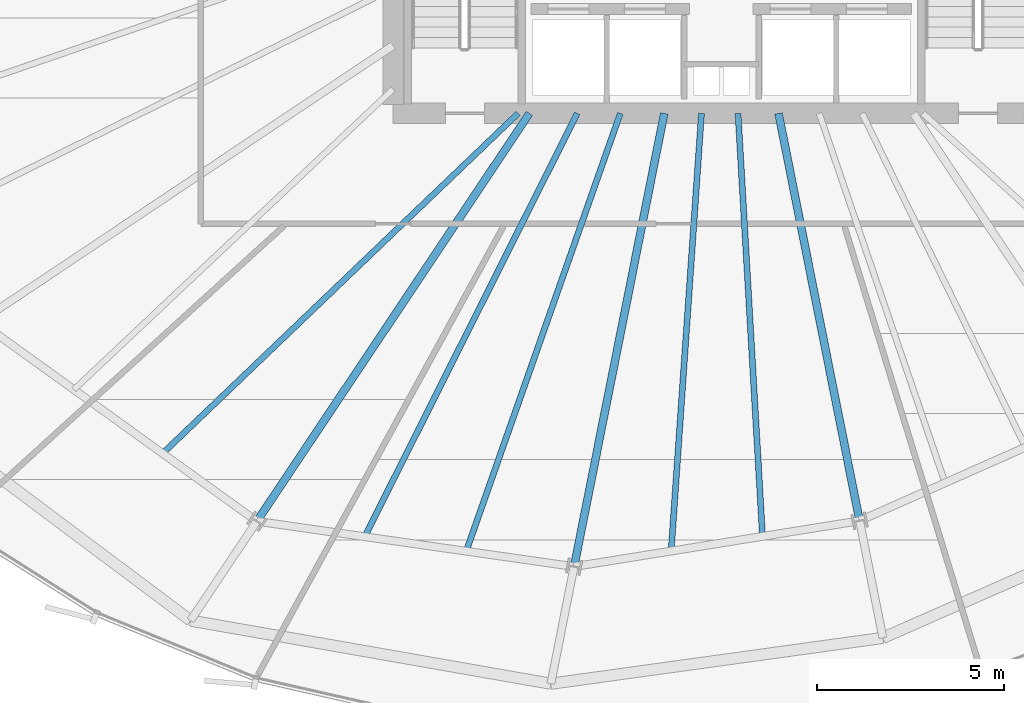
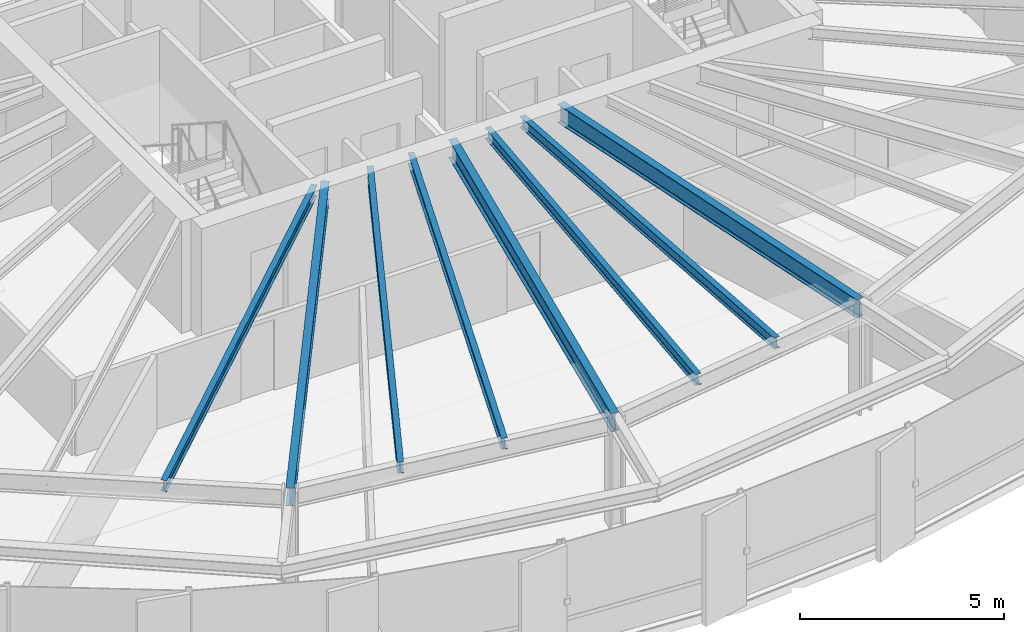
# One storey, part 7 of 35: 8 beams.
"""IFC4 building model written with IfcOpenShell, lengths in metres."""

from ifc_helpers import new_model, si_unit, direction, frame, origin, origin_2d, place, context, subcontext, project, spatial, i_section, extrude, source, transform, mapped, material, material_profile, profile_set, type_object, element, save


model = new_model("IFC4")

# Units and contexts
model_context = context("Model", 3, precision=1e-05, world=origin(), true_north=direction((0.0, 1.0)))
body_context = subcontext(model_context, "Body", "Model", "MODEL_VIEW")
ifc_project = project(units=[si_unit("LENGTHUNIT", "METRE"), si_unit("AREAUNIT", "SQUARE_METRE"), si_unit("VOLUMEUNIT", "CUBIC_METRE"), si_unit("PLANEANGLEUNIT", "RADIAN"), si_unit("MASSUNIT", "GRAM", prefix="KILO"), si_unit("THERMODYNAMICTEMPERATUREUNIT", "KELVIN")], contexts=[model_context])

# Site, building, storey
site_placement = place(None, origin())
site = spatial("IfcSite", under=ifc_project, at=site_placement, CompositionType="ELEMENT")
building_placement = place(site_placement, origin())
building = spatial("IfcBuilding", under=site, at=building_placement, Name="Kethvar Cultural Tower", CompositionType="ELEMENT")
storey_placement = place(building_placement, frame((0.0, 0.0, 103.60009765625)))
storey = spatial("IfcBuildingStorey", under=building, at=storey_placement, Name="L25", CompositionType="ELEMENT", Elevation=103.60009765625)

# Beams
ifc_material = material(Name="Steel S355J2", Category="steel")
ifc_material_profile_1 = material_profile(ifc_material, i_section(OverallWidth=0.2099609375, OverallDepth=0.550048828125, WebThickness=0.010986328125, FlangeThickness=0.01708984375, FilletRadius=0.02392578125, at=origin_2d()), Name="Steel S355J2 — IPE550")
ifc_profile_set_1 = profile_set([ifc_material_profile_1], Name="Steel S355J2 — IPE550")
beam_type_1 = type_object("IfcBeamType", Name="BM-IPE550", PredefinedType="BEAM", material=ifc_profile_set_1)
shared_shape_1 = source(origin(), body_context, "Body", "SweptSolid", [
    extrude(i_section(OverallWidth=0.2099609375, OverallDepth=0.550048828125, WebThickness=0.010986328125, FlangeThickness=0.01708984375, FilletRadius=0.02392578125, at=origin_2d()), origin(), (0.0, 0.0, 1.0), 13.147216796875),
])
beam_1_placement = place(storey_placement, frame((41.655029296875, 20.10009765625, 3.072998046875), z_axis=(-0.555565525446, -0.831472757783, 0.0), x_axis=(0.831472757783, -0.555565525446, 0.0)))
element("IfcBeam", 1, at=beam_1_placement, inside=storey, type_object=beam_type_1, Name="L25 Primary Radial Beam RB-11", PredefinedType="BEAM", context=body_context, shape_type="MappedRepresentation", body=[
    mapped(shared_shape_1, transform((0.0, 0.0, 0.0), scale=1.0)),
])
shared_shape_2 = source(origin(), body_context, "Body", "SweptSolid", [
    extrude(i_section(OverallWidth=0.2099609375, OverallDepth=0.550048828125, WebThickness=0.010986328125, FlangeThickness=0.01708984375, FilletRadius=0.02392578125, at=origin_2d()), origin(), (0.0, 0.0, 1.0), 12.384521484375),
])
beam_2_placement = place(storey_placement, frame((45.268310546875, 20.10009765625, 3.072998046875), z_axis=(-0.195084858678, -0.980786367113, 0.0), x_axis=(0.980786367113, -0.195084858678, 0.0)))
element("IfcBeam", 2, at=beam_2_placement, inside=storey, type_object=beam_type_1, Name="L25 Primary Radial Beam RB-12", PredefinedType="BEAM", context=body_context, shape_type="MappedRepresentation", body=[
    mapped(shared_shape_2, transform((0.0, 0.0, 0.0), scale=1.0)),
])
shared_shape_3 = source(origin(), body_context, "Body", "SweptSolid", [
    extrude(i_section(OverallWidth=0.2099609375, OverallDepth=0.550048828125, WebThickness=0.010986328125, FlangeThickness=0.01708984375, FilletRadius=0.02392578125, at=origin_2d()), origin(), (0.0, 0.0, 1.0), 11.131591796875),
])
beam_3_placement = place(storey_placement, frame((48.33154296875, 20.10009765625, 3.072998046875), z_axis=(0.195107998266, -0.980781764213, 0.0), x_axis=(0.980781764213, 0.195107998266, 0.0)))
element("IfcBeam", 3, at=beam_3_placement, inside=storey, type_object=beam_type_1, Name="L25 Primary Radial Beam RB-13", PredefinedType="BEAM", context=body_context, shape_type="MappedRepresentation", body=[
    mapped(shared_shape_3, transform((0.0, 0.0, 0.0), scale=1.0)),
])
ifc_material_profile_2 = material_profile(ifc_material, i_section(OverallWidth=0.159912109375, OverallDepth=0.330078125, WebThickness=0.007568359375, FlangeThickness=0.011474609375, FilletRadius=0.01806640625, at=origin_2d()), Name="Steel S355J2 — IPE330")
ifc_profile_set_2 = profile_set([ifc_material_profile_2], Name="Steel S355J2 — IPE330")
beam_type_2 = type_object("IfcBeamType", Name="BM-J330", PredefinedType="JOIST", material=ifc_profile_set_2)
shared_shape_4 = source(origin(), body_context, "Body", "SweptSolid", [
    extrude(i_section(OverallWidth=0.159912109375, OverallDepth=0.330078125, WebThickness=0.007568359375, FlangeThickness=0.011474609375, FilletRadius=0.01806640625, at=origin_2d()), origin(), (0.0, 0.0, 1.0), 13.1826171875),
])
beam_4_placement = place(storey_placement, frame((41.35009765625, 20.10009765625, 3.182861328125), z_axis=(-0.722573880181, -0.691293705801, 0.0), x_axis=(0.691293705801, -0.722573880181, 0.0)))
element("IfcBeam", 4, at=beam_4_placement, inside=storey, type_object=beam_type_2, Name="L25 Composite Floor Joist J-10B", PredefinedType="JOIST", context=body_context, shape_type="MappedRepresentation", body=[
    mapped(shared_shape_4, transform((0.0, 0.0, 0.0), scale=1.0)),
])
shared_shape_5 = source(origin(), body_context, "Body", "SweptSolid", [
    extrude(i_section(OverallWidth=0.159912109375, OverallDepth=0.330078125, WebThickness=0.007568359375, FlangeThickness=0.011474609375, FilletRadius=0.01806640625, at=origin_2d()), origin(), (0.0, 0.0, 1.0), 12.693603515625),
])
beam_5_placement = place(storey_placement, frame((42.935302734375, 20.10009765625, 3.182861328125), z_axis=(-0.448582495233, -0.893741430712, 0.0), x_axis=(0.893741430712, -0.448582495233, 0.0)))
element("IfcBeam", 5, at=beam_5_placement, inside=storey, type_object=beam_type_2, Name="L25 Composite Floor Joist J-11A", PredefinedType="JOIST", context=body_context, shape_type="MappedRepresentation", body=[
    mapped(shared_shape_5, transform((0.0, 0.0, 0.0), scale=1.0)),
])
shared_shape_6 = source(origin(), body_context, "Body", "SweptSolid", [
    extrude(i_section(OverallWidth=0.159912109375, OverallDepth=0.330078125, WebThickness=0.007568359375, FlangeThickness=0.011474609375, FilletRadius=0.01806640625, at=origin_2d()), origin(), (0.0, 0.0, 1.0), 12.4384765625),
])
beam_6_placement = place(storey_placement, frame((44.090576171875, 20.10009765625, 3.182861328125), z_axis=(-0.331923676994, -0.943306245421, 0.0), x_axis=(0.943306245421, -0.331923676994, 0.0)))
element("IfcBeam", 6, at=beam_6_placement, inside=storey, type_object=beam_type_2, Name="L25 Composite Floor Joist J-11B", PredefinedType="JOIST", context=body_context, shape_type="MappedRepresentation", body=[
    mapped(shared_shape_6, transform((0.0, 0.0, 0.0), scale=1.0)),
])
shared_shape_7 = source(origin(), body_context, "Body", "SweptSolid", [
    extrude(i_section(OverallWidth=0.159912109375, OverallDepth=0.330078125, WebThickness=0.007568359375, FlangeThickness=0.011474609375, FilletRadius=0.01806640625, at=origin_2d()), origin(), (0.0, 0.0, 1.0), 11.7568359375),
])
beam_7_placement = place(storey_placement, frame((46.266357421875, 20.10009765625, 3.182861328125), z_axis=(-0.069129203877, -0.997607715072, 0.0), x_axis=(0.997607715072, -0.069129203877, 0.0)))
element("IfcBeam", 7, at=beam_7_placement, inside=storey, type_object=beam_type_2, Name="L25 Composite Floor Joist J-12A", PredefinedType="JOIST", context=body_context, shape_type="MappedRepresentation", body=[
    mapped(shared_shape_7, transform((0.0, 0.0, 0.0), scale=1.0)),
])
shared_shape_8 = source(origin(), body_context, "Body", "SweptSolid", [
    extrude(i_section(OverallWidth=0.159912109375, OverallDepth=0.330078125, WebThickness=0.007568359375, FlangeThickness=0.011474609375, FilletRadius=0.01806640625, at=origin_2d()), origin(), (0.0, 0.0, 1.0), 11.354736328125),
])
beam_8_placement = place(storey_placement, frame((47.245849609375, 20.10009765625, 3.182861328125), z_axis=(0.057795585741, -0.998328438075, 0.0), x_axis=(0.998328438075, 0.057795585741, 0.0)))
element("IfcBeam", 8, at=beam_8_placement, inside=storey, type_object=beam_type_2, Name="L25 Composite Floor Joist J-12B", PredefinedType="JOIST", context=body_context, shape_type="MappedRepresentation", body=[
    mapped(shared_shape_8, transform((0.0, 0.0, 0.0), scale=1.0)),
])

save(model, "model.ifc")
